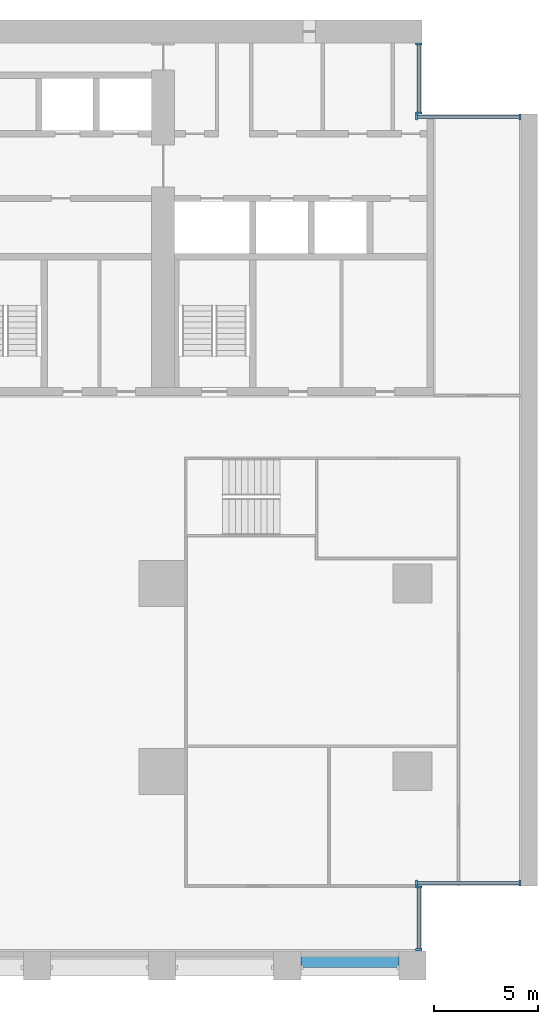
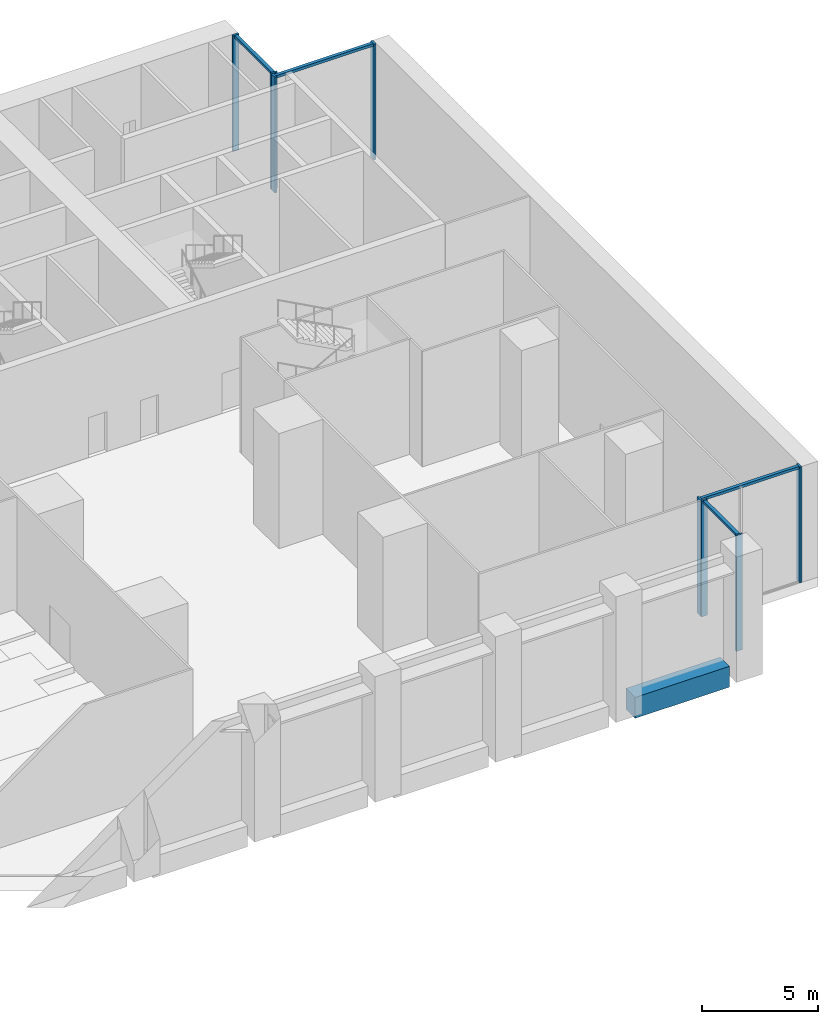
# One storey, part 5 of 18: 12 members, 1 beam, 4 elements without a shape of their own.
"""IFC4 building model written with IfcOpenShell, lengths in metres."""

from ifc_helpers import new_model, si_unit, direction, frame, origin, origin_2d, place, context, subcontext, project, spatial, rectangle, extrude, material, material_profile, profile_set, type_object, element, aggregate, save


model = new_model("IFC4")

# Units and contexts
model_context = context("Model", 3, precision=1e-05, world=origin(), true_north=direction((0.0, 1.0)))
body_context = subcontext(model_context, "Body", "Model", "MODEL_VIEW")
ifc_project = project(units=[si_unit("LENGTHUNIT", "METRE"), si_unit("AREAUNIT", "SQUARE_METRE"), si_unit("VOLUMEUNIT", "CUBIC_METRE"), si_unit("PLANEANGLEUNIT", "RADIAN"), si_unit("MASSUNIT", "GRAM", prefix="KILO")], contexts=[model_context])

# Site, building, storey
site_placement = place(None, origin())
site = spatial("IfcSite", under=ifc_project, at=site_placement, CompositionType="ELEMENT")
building_placement = place(site_placement, origin())
building = spatial("IfcBuilding", under=site, at=building_placement, Name="Calvaro Tower", CompositionType="ELEMENT")
storey_placement = place(building_placement, frame((0.0, 0.0, 11.300048828125)))
storey = spatial("IfcBuildingStorey", under=building, at=storey_placement, Name="L02", CompositionType="ELEMENT", Elevation=11.300048828125)

# Curtain wall, members
ifc_material_1 = material(Name="Anodised aluminium", Category="aluminium")
curtain_wall_type = type_object("IfcCurtainWallType", Name="Foyer curtain wall", PredefinedType="NOTDEFINED", material=ifc_material_1)
curtain_wall_1_placement = place(storey_placement, origin())
curtain_wall_1 = element("IfcCurtainWall", 1, at=curtain_wall_1_placement, inside=storey, type_object=curtain_wall_type, Name="CW6 corner curtain wall", PredefinedType="NOTDEFINED")
ifc_material_2 = material(Name="Anodised aluminium", Category="aluminium")
ifc_material_profile_1 = material_profile(ifc_material_2, rectangle(XDim=0.300048828125, YDim=0.10009765625, at=origin_2d()), Name="Mullion PF 100 x 300")
ifc_profile_set_1 = profile_set([ifc_material_profile_1], Name="Anodised aluminium")
member_type_1 = type_object("IfcMemberType", Name="Mullion PF 100 x 300", PredefinedType="MULLION", material=ifc_profile_set_1)
member_1_placement = place(storey_placement, frame((72.300048828125, 1.449951171875, 0.0), z_axis=(0.0, 0.0, 1.0), x_axis=(-1.0, 0.0, 0.0)))
member_1 = element("IfcMember", 2, at=member_1_placement, type_object=member_type_1, Name="CW6 mullion 1", PredefinedType="MULLION", context=body_context, shape_type="SweptSolid", body=[
    extrude(rectangle(XDim=0.300048828125, YDim=0.10009765625, at=origin_2d()), origin(), (0.0, 0.0, 1.0), 6.099853515625),
])
member_2_placement = place(storey_placement, frame((72.300048828125, 4.449951171875, 0.0), z_axis=(0.0, 0.0, 1.0), x_axis=(-1.0, 0.0, 0.0)))
member_2 = element("IfcMember", 3, at=member_2_placement, type_object=member_type_1, Name="CW6 mullion 2", PredefinedType="MULLION", context=body_context, shape_type="SweptSolid", body=[
    extrude(rectangle(XDim=0.300048828125, YDim=0.10009765625, at=origin_2d()), origin(), (0.0, 0.0, 1.0), 6.099853515625),
])

curtain_wall_2_placement = place(storey_placement, origin())
curtain_wall_2 = element("IfcCurtainWall", 4, at=curtain_wall_2_placement, inside=storey, type_object=curtain_wall_type, Name="CW6 corner curtain wall", PredefinedType="NOTDEFINED")
member_3_placement = place(storey_placement, frame((72.199951171875, 4.64990234375, 0.0), z_axis=(0.0, 0.0, 1.0), x_axis=(0.0, 1.0, 0.0)))
member_3 = element("IfcMember", 5, at=member_3_placement, type_object=member_type_1, Name="CW6 mullion 1", PredefinedType="MULLION", context=body_context, shape_type="SweptSolid", body=[
    extrude(rectangle(XDim=0.300048828125, YDim=0.10009765625, at=origin_2d()), origin(), (0.0, 0.0, 1.0), 6.099853515625),
])
member_4_placement = place(storey_placement, frame((77.14990234375, 4.64990234375, 0.0), z_axis=(0.0, 0.0, 1.0), x_axis=(0.0, 1.0, 0.0)))
member_4 = element("IfcMember", 6, at=member_4_placement, type_object=member_type_1, Name="CW6 mullion 2", PredefinedType="MULLION", context=body_context, shape_type="SweptSolid", body=[
    extrude(rectangle(XDim=0.300048828125, YDim=0.10009765625, at=origin_2d()), origin(), (0.0, 0.0, 1.0), 6.099853515625),
])

curtain_wall_3_placement = place(storey_placement, origin())
curtain_wall_3 = element("IfcCurtainWall", 7, at=curtain_wall_3_placement, inside=storey, type_object=curtain_wall_type, Name="CW6 corner curtain wall", PredefinedType="NOTDEFINED")
member_5_placement = place(storey_placement, frame((72.300048828125, 41.550048828125, 0.0), z_axis=(0.0, 0.0, 1.0), x_axis=(-1.0, 0.0, 0.0)))
member_5 = element("IfcMember", 8, at=member_5_placement, type_object=member_type_1, Name="CW6 mullion 1", PredefinedType="MULLION", context=body_context, shape_type="SweptSolid", body=[
    extrude(rectangle(XDim=0.300048828125, YDim=0.10009765625, at=origin_2d()), origin(), (0.0, 0.0, 1.0), 6.099853515625),
])
member_6_placement = place(storey_placement, frame((72.300048828125, 44.85009765625, 0.0), z_axis=(0.0, 0.0, 1.0), x_axis=(-1.0, 0.0, 0.0)))
member_6 = element("IfcMember", 9, at=member_6_placement, type_object=member_type_1, Name="CW6 mullion 2", PredefinedType="MULLION", context=body_context, shape_type="SweptSolid", body=[
    extrude(rectangle(XDim=0.300048828125, YDim=0.10009765625, at=origin_2d()), origin(), (0.0, 0.0, 1.0), 6.099853515625),
])

curtain_wall_4_placement = place(storey_placement, origin())
curtain_wall_4 = element("IfcCurtainWall", 10, at=curtain_wall_4_placement, inside=storey, type_object=curtain_wall_type, Name="CW6 corner curtain wall", PredefinedType="NOTDEFINED")
member_7_placement = place(storey_placement, frame((72.199951171875, 41.35009765625, 0.0), z_axis=(0.0, 0.0, 1.0), x_axis=(0.0, 1.0, 0.0)))
member_7 = element("IfcMember", 11, at=member_7_placement, type_object=member_type_1, Name="CW6 mullion 1", PredefinedType="MULLION", context=body_context, shape_type="SweptSolid", body=[
    extrude(rectangle(XDim=0.300048828125, YDim=0.10009765625, at=origin_2d()), origin(), (0.0, 0.0, 1.0), 6.099853515625),
])
member_8_placement = place(storey_placement, frame((77.14990234375, 41.35009765625, 0.0), z_axis=(0.0, 0.0, 1.0), x_axis=(0.0, 1.0, 0.0)))
member_8 = element("IfcMember", 12, at=member_8_placement, type_object=member_type_1, Name="CW6 mullion 2", PredefinedType="MULLION", context=body_context, shape_type="SweptSolid", body=[
    extrude(rectangle(XDim=0.300048828125, YDim=0.10009765625, at=origin_2d()), origin(), (0.0, 0.0, 1.0), 6.099853515625),
])

# Beam
ifc_material_3 = material(Name="Concrete C50/60 precast", Category="concrete")
ifc_material_profile_2 = material_profile(ifc_material_3, rectangle(XDim=0.800048828125, YDim=1.10009765625, at=origin_2d()), Name="RC 800x1100")
ifc_profile_set_2 = profile_set([ifc_material_profile_2], Name="Concrete C50/60 precast")
beam_type = type_object("IfcBeamType", Name="Spandrel beam 800x1100 C50/60", PredefinedType="SPANDREL", material=ifc_profile_set_2)
beam_placement = place(storey_placement, frame((66.64990234375, 1.0, -0.550048828125), z_axis=(1.0, 0.0, 0.0), x_axis=(0.0, 1.0, 0.0)))
element("IfcBeam", 13, at=beam_placement, inside=storey, type_object=beam_type, Name="Spandrel beam", PredefinedType="SPANDREL", context=body_context, shape_type="SweptSolid", body=[
    extrude(rectangle(XDim=0.800048828125, YDim=1.10009765625, at=origin_2d()), origin(), (0.0, 0.0, 1.0), 4.7001953125),
])

# Member
ifc_material_4 = material(Name="Anodised aluminium", Category="aluminium")
ifc_material_profile_3 = material_profile(ifc_material_4, rectangle(XDim=0.159912109375, YDim=0.139892578125, at=origin_2d()), Name="Transom PF 140 x 160")
ifc_profile_set_3 = profile_set([ifc_material_profile_3], Name="Anodised aluminium")
member_type_2 = type_object("IfcMemberType", Name="Transom PF 140 x 160", PredefinedType="USERDEFINED", material=ifc_profile_set_3)
member_9_placement = place(storey_placement, frame((72.300048828125, 1.5, 6.030029296875), z_axis=(0.0, 1.0, 0.0), x_axis=(-1.0, 0.0, 0.0)))
member_9 = element("IfcMember", 14, at=member_9_placement, type_object=member_type_2, Name="CW6 transom 1.1", ObjectType="TRANSOM", PredefinedType="USERDEFINED", context=body_context, shape_type="SweptSolid", body=[
    extrude(rectangle(XDim=0.159912109375, YDim=0.139892578125, at=origin_2d()), origin(), (0.0, 0.0, 1.0), 2.89990234375),
])

aggregate(curtain_wall_1, [member_1, member_2, member_9])

member_10_placement = place(storey_placement, frame((72.25, 4.64990234375, 6.030029296875), z_axis=(1.0, 0.0, 0.0), x_axis=(0.0, 1.0, 0.0)))
member_10 = element("IfcMember", 15, at=member_10_placement, type_object=member_type_2, Name="CW6 transom 1.1", ObjectType="TRANSOM", PredefinedType="USERDEFINED", context=body_context, shape_type="SweptSolid", body=[
    extrude(rectangle(XDim=0.159912109375, YDim=0.139892578125, at=origin_2d()), origin(), (0.0, 0.0, 1.0), 4.85009765625),
])

aggregate(curtain_wall_2, [member_3, member_4, member_10])

member_11_placement = place(storey_placement, frame((72.300048828125, 41.60009765625, 6.030029296875), z_axis=(0.0, 1.0, 0.0), x_axis=(-1.0, 0.0, 0.0)))
member_11 = element("IfcMember", 16, at=member_11_placement, type_object=member_type_2, Name="CW6 transom 1.1", ObjectType="TRANSOM", PredefinedType="USERDEFINED", context=body_context, shape_type="SweptSolid", body=[
    extrude(rectangle(XDim=0.159912109375, YDim=0.139892578125, at=origin_2d()), origin(), (0.0, 0.0, 1.0), 3.199951171875),
])

aggregate(curtain_wall_3, [member_5, member_6, member_11])

member_12_placement = place(storey_placement, frame((72.25, 41.35009765625, 6.030029296875), z_axis=(1.0, 0.0, 0.0), x_axis=(0.0, 1.0, 0.0)))
member_12 = element("IfcMember", 17, at=member_12_placement, type_object=member_type_2, Name="CW6 transom 1.1", ObjectType="TRANSOM", PredefinedType="USERDEFINED", context=body_context, shape_type="SweptSolid", body=[
    extrude(rectangle(XDim=0.159912109375, YDim=0.139892578125, at=origin_2d()), origin(), (0.0, 0.0, 1.0), 4.85009765625),
])

aggregate(curtain_wall_4, [member_7, member_8, member_12])

save(model, "model.ifc")
